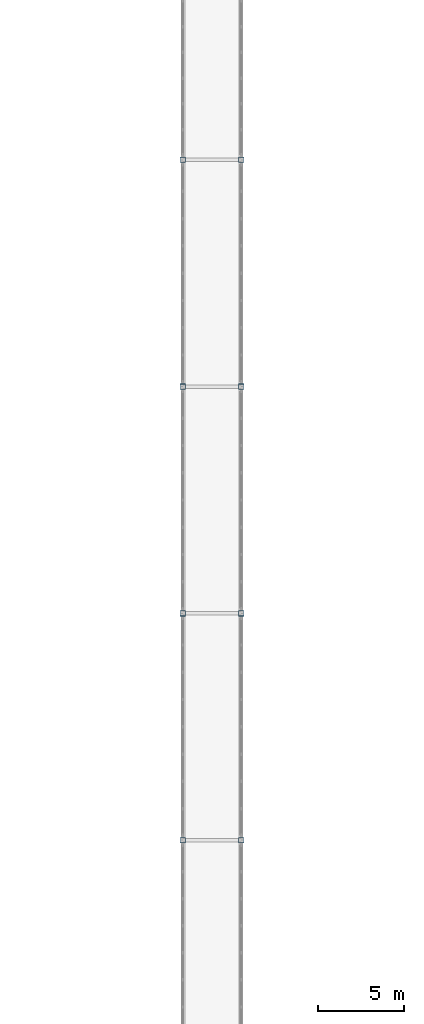
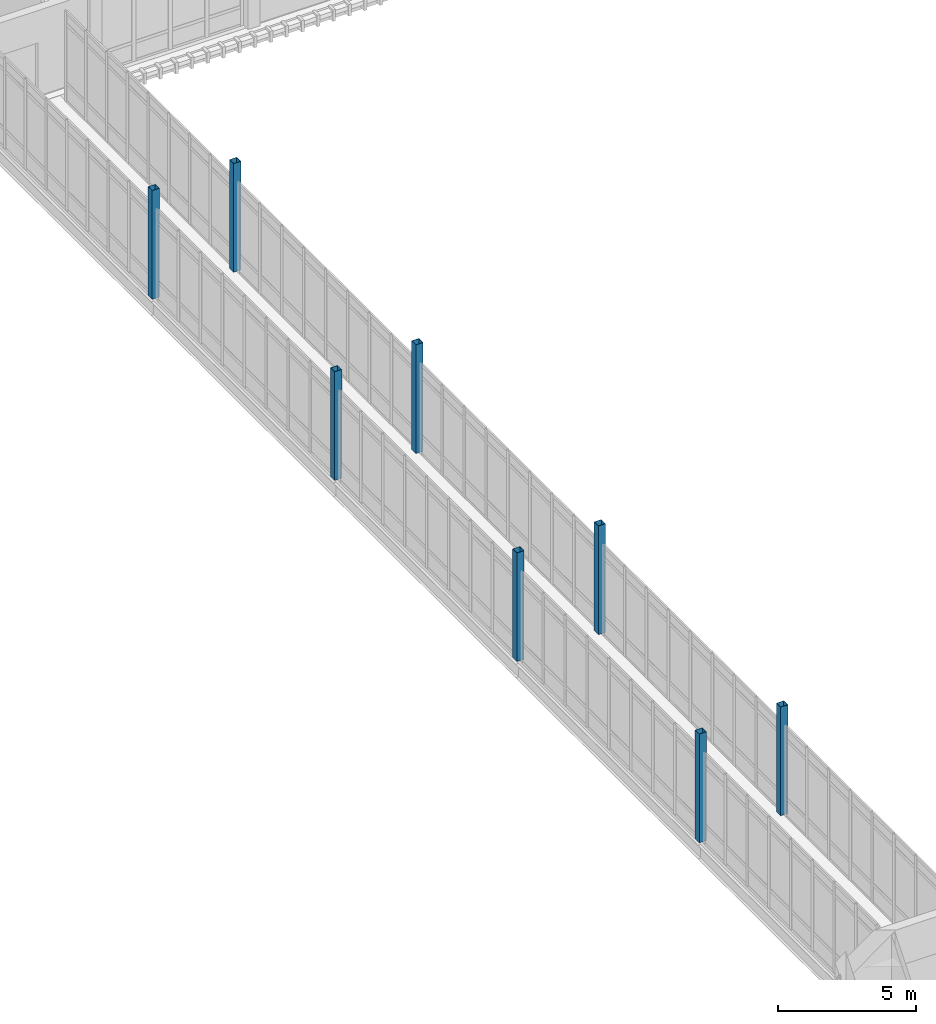
# One storey, part 13 of 125: 8 columns.
"""IFC4 building model written with IfcOpenShell, lengths in metres."""

from ifc_helpers import new_model, si_unit, direction, frame, origin, origin_2d, place, context, subcontext, project, spatial, hollow_rectangle, extrude, material, material_profile, profile_set, type_object, element, save


model = new_model("IFC4")

# Units and contexts
model_context = context("Model", 3, precision=1e-05, world=origin(), true_north=direction((0.0, 1.0)))
body_context = subcontext(model_context, "Body", "Model", "MODEL_VIEW")
ifc_project = project(units=[si_unit("LENGTHUNIT", "METRE"), si_unit("AREAUNIT", "SQUARE_METRE"), si_unit("VOLUMEUNIT", "CUBIC_METRE"), si_unit("PLANEANGLEUNIT", "RADIAN"), si_unit("MASSUNIT", "GRAM", prefix="KILO")], contexts=[model_context])

# Site, building, storey
site_placement = place(None, origin())
site = spatial("IfcSite", under=ifc_project, at=site_placement, CompositionType="ELEMENT")
building_placement = place(site_placement, origin())
building = spatial("IfcBuilding", under=site, at=building_placement, Name="Dornvale Research Institute", CompositionType="ELEMENT")
storey_placement = place(building_placement, frame((0.0, 0.0, 5.39990234375)))
storey = spatial("IfcBuildingStorey", under=building, at=storey_placement, Name="L01", CompositionType="ELEMENT", Elevation=5.39990234375)

# Columns
ifc_material = material(Name="Steel ASTM A500 Grade C", Category="steel")
ifc_material_profile = material_profile(ifc_material, hollow_rectangle(XDim=0.304931640625, YDim=0.304931640625, WallThickness=0.01171875, at=origin_2d()), Name="HSS305X305X12.7")
ifc_profile_set = profile_set([ifc_material_profile], Name="Steel ASTM A500 Grade C")
column_type = type_object("IfcColumnType", Name="Column_Steel_HSS305_Ext", PredefinedType="COLUMN", material=ifc_profile_set)
for number, where, z_axis, x_axis, name in (
    (1, (140.199951171875, 39.60009765625, 0.0), (0.0, 0.0, 1.0), (1.0, 0.0, 0.0), "L01 cloister link bridge pier #57"),
    (2, (140.199951171875, 52.800048828125, 0.0), (0.0, 0.0, 1.0), (1.0, 0.0, 0.0), "L01 cloister link bridge pier #60"),
    (3, (140.199951171875, 66.0, 0.0), (0.0, 0.0, 1.0), (1.0, 0.0, 0.0), "L01 cloister link bridge pier #63"),
    (4, (140.199951171875, 79.199951171875, 0.0), (0.0, 0.0, 1.0), (1.0, 0.0, 0.0), "L01 cloister link bridge pier #66"),
    (5, (143.60009765625, 39.60009765625, 0.0), (0.0, 0.0, 1.0), (1.0, 0.0, 0.0), "L01 cloister link bridge pier #69"),
    (6, (143.60009765625, 52.800048828125, 0.0), (0.0, 0.0, 1.0), (1.0, 0.0, 0.0), "L01 cloister link bridge pier #72"),
    (7, (143.60009765625, 66.0, 0.0), (0.0, 0.0, 1.0), (1.0, 0.0, 0.0), "L01 cloister link bridge pier #75"),
    (8, (143.60009765625, 79.199951171875, 0.0), (0.0, 0.0, 1.0), (1.0, 0.0, 0.0), "L01 cloister link bridge pier #78"),
):
    element("IfcColumn", number, at=place(storey_placement, frame(where, z_axis=z_axis, x_axis=x_axis)), inside=storey, type_object=column_type, Name=name, PredefinedType="COLUMN", context=body_context, shape_type="SweptSolid", body=[
        extrude(hollow_rectangle(XDim=0.304931640625, YDim=0.304931640625, WallThickness=0.01171875, at=origin_2d()), origin(), (0.0, 0.0, 1.0), 4.800048828125),
    ])

save(model, "model.ifc")
